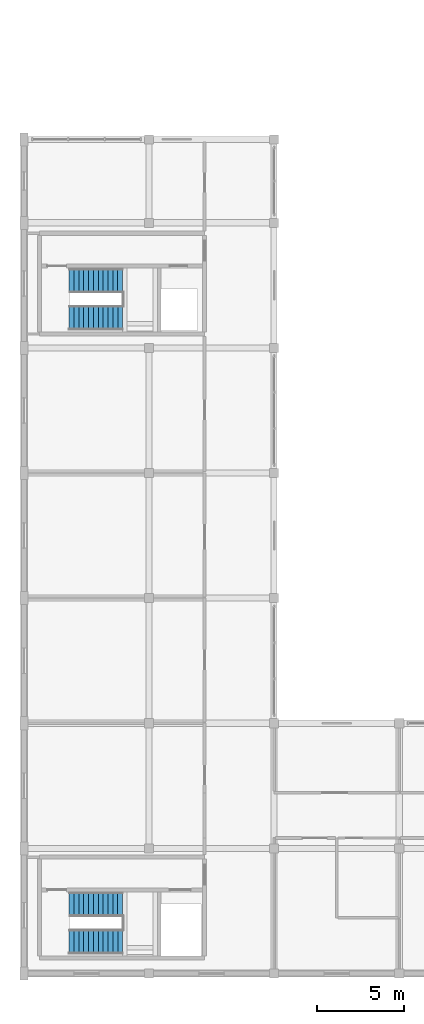
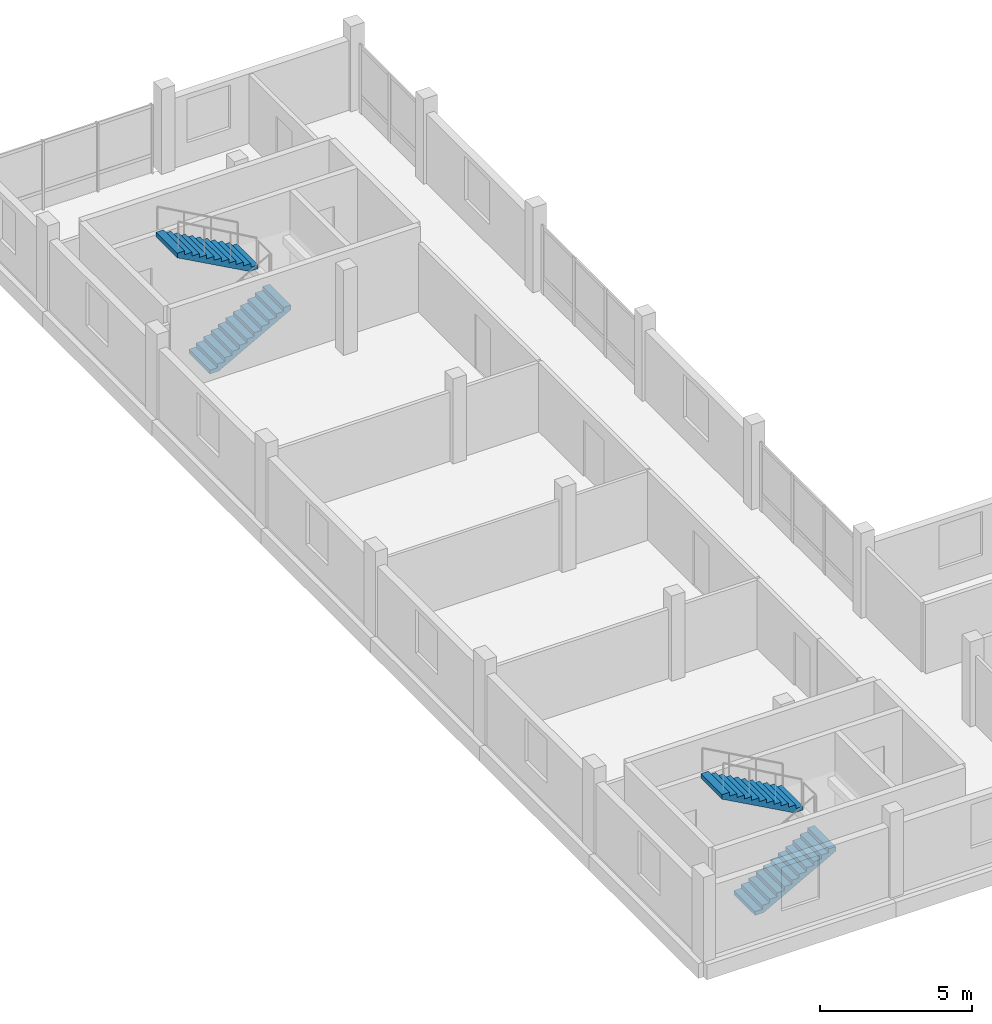
# One storey, part 24 of 26: 4 stair flights, 2 elements without a shape of their own.
"""IFC4 building model written with IfcOpenShell, lengths in metres."""

from ifc_helpers import new_model, si_unit, direction, frame, origin, place, context, subcontext, project, spatial, polyline, outline, extrude, material, type_object, element, aggregate, save


model = new_model("IFC4")

# Units and contexts
model_context = context("Model", 3, precision=1e-05, world=origin(), true_north=direction((0.0, 1.0)))
body_context = subcontext(model_context, "Body", "Model", "MODEL_VIEW")
ifc_project = project(units=[si_unit("LENGTHUNIT", "METRE"), si_unit("AREAUNIT", "SQUARE_METRE"), si_unit("VOLUMEUNIT", "CUBIC_METRE"), si_unit("PLANEANGLEUNIT", "RADIAN"), si_unit("MASSUNIT", "GRAM", prefix="KILO")], contexts=[model_context])

# Site, building, storey
site_placement = place(None, origin())
site = spatial("IfcSite", under=ifc_project, at=site_placement, CompositionType="ELEMENT")
building_placement = place(site_placement, origin())
building = spatial("IfcBuilding", under=site, at=building_placement, Name="Zornivar Specialist Clinic", CompositionType="ELEMENT")
storey_placement = place(building_placement, frame((0.0, 0.0, 19.699951171875)))
storey = spatial("IfcBuildingStorey", under=building, at=storey_placement, Name="L05", CompositionType="ELEMENT", Elevation=19.699951171875)

# Stair, stair flights
ifc_material_1 = material(Name="Concrete C30/37", Category="concrete")
stair_type = type_object("IfcStairType", Name="STR-CORE-UPPER-3700", PredefinedType="HALF_TURN_STAIR", material=ifc_material_1)
stair_1_placement = place(storey_placement, origin())
stair_1 = element("IfcStair", 1, at=stair_1_placement, inside=storey, type_object=stair_type, Name="stair:C1:L05", PredefinedType="HALF_TURN_STAIR")
ifc_material_2 = material(Name="Concrete C30/37", Category="concrete")
stair_flight_type = type_object("IfcStairFlightType", Name="STR-CORE-UPPER-3700-FLT", PredefinedType="STRAIGHT", material=ifc_material_2)
stair_flight_1_placement = place(storey_placement, frame((2.60009765625, 1.820068359375, 0.0), z_axis=(0.0, 0.0, 1.0), x_axis=(1.0, 0.0, 0.0)))
stair_flight_1 = element("IfcStairFlight", 2, at=stair_flight_1_placement, type_object=stair_flight_type, Name="stair:C1:L05:f1", NumberOfRisers=12, NumberOfTreads=11, PredefinedType="STRAIGHT", RiserHeight=0.154167, TreadLength=0.28, context=body_context, shape_type="SweptSolid", body=[
    extrude(outline(polyline([(0.0, 0.0), (0.0, 0.154052734375), (0.280029296875, 0.154052734375), (0.280029296875, 0.308349609375), (0.56005859375, 0.308349609375), (0.56005859375, 0.46240234375), (0.840087890625, 0.46240234375), (0.840087890625, 0.61669921875), (1.1201171875, 0.61669921875), (1.1201171875, 0.770751953125), (1.39990234375, 0.770751953125), (1.39990234375, 0.925048828125), (1.679931640625, 0.925048828125), (1.679931640625, 1.0791015625), (1.9599609375, 1.0791015625), (1.9599609375, 1.2333984375), (2.239990234375, 1.2333984375), (2.239990234375, 1.387451171875), (2.52001953125, 1.387451171875), (2.52001953125, 1.541748046875), (2.800048828125, 1.541748046875), (2.800048828125, 1.69580078125), (3.080078125, 1.69580078125), (3.080078125, 1.85009765625), (3.080078125, 1.51318359375), (0.33154296875, 0.0), (0.0, 0.0)])), frame((0.0, 0.699951171875, 0.0), z_axis=(0.0, -1.0, 0.0), x_axis=(1.0, 0.0, 0.0)), (0.0, 0.0, 1.0), 1.39990234375),
])
stair_flight_2_placement = place(storey_placement, frame((5.679931640625, 3.97998046875, 1.85009765625), z_axis=(0.0, 0.0, 1.0), x_axis=(-1.0, 0.0, 0.0)))
stair_flight_2 = element("IfcStairFlight", 3, at=stair_flight_2_placement, type_object=stair_flight_type, Name="stair:C1:L05:f2", NumberOfRisers=12, NumberOfTreads=11, PredefinedType="STRAIGHT", RiserHeight=0.154167, TreadLength=0.28, context=body_context, shape_type="SweptSolid", body=[
    extrude(outline(polyline([(0.0, 0.0), (0.0, 0.154052734375), (0.280029296875, 0.154052734375), (0.280029296875, 0.308349609375), (0.56005859375, 0.308349609375), (0.56005859375, 0.46240234375), (0.840087890625, 0.46240234375), (0.840087890625, 0.61669921875), (1.1201171875, 0.61669921875), (1.1201171875, 0.770751953125), (1.39990234375, 0.770751953125), (1.39990234375, 0.925048828125), (1.679931640625, 0.925048828125), (1.679931640625, 1.0791015625), (1.9599609375, 1.0791015625), (1.9599609375, 1.2333984375), (2.239990234375, 1.2333984375), (2.239990234375, 1.387451171875), (2.52001953125, 1.387451171875), (2.52001953125, 1.541748046875), (2.800048828125, 1.541748046875), (2.800048828125, 1.69580078125), (3.080078125, 1.69580078125), (3.080078125, 1.85009765625), (3.080078125, 1.51318359375), (0.33154296875, 0.0), (0.0, 0.0)])), frame((0.0, 0.699951171875, 0.0), z_axis=(0.0, -1.0, 0.0), x_axis=(1.0, 0.0, 0.0)), (0.0, 0.0, 1.0), 1.39990234375),
])
aggregate(stair_1, [stair_flight_1, stair_flight_2])

stair_2_placement = place(storey_placement, origin())
stair_2 = element("IfcStair", 4, at=stair_2_placement, inside=storey, type_object=stair_type, Name="stair:C2:L05", PredefinedType="HALF_TURN_STAIR")
stair_flight_3_placement = place(storey_placement, frame((2.60009765625, 37.719970703125, 0.0), z_axis=(0.0, 0.0, 1.0), x_axis=(1.0, 0.0, 0.0)))
stair_flight_3 = element("IfcStairFlight", 5, at=stair_flight_3_placement, type_object=stair_flight_type, Name="stair:C2:L05:f1", NumberOfRisers=12, NumberOfTreads=11, PredefinedType="STRAIGHT", RiserHeight=0.154167, TreadLength=0.28, context=body_context, shape_type="SweptSolid", body=[
    extrude(outline(polyline([(0.0, 0.0), (0.0, 0.154052734375), (0.280029296875, 0.154052734375), (0.280029296875, 0.308349609375), (0.56005859375, 0.308349609375), (0.56005859375, 0.46240234375), (0.840087890625, 0.46240234375), (0.840087890625, 0.61669921875), (1.1201171875, 0.61669921875), (1.1201171875, 0.770751953125), (1.39990234375, 0.770751953125), (1.39990234375, 0.925048828125), (1.679931640625, 0.925048828125), (1.679931640625, 1.0791015625), (1.9599609375, 1.0791015625), (1.9599609375, 1.2333984375), (2.239990234375, 1.2333984375), (2.239990234375, 1.387451171875), (2.52001953125, 1.387451171875), (2.52001953125, 1.541748046875), (2.800048828125, 1.541748046875), (2.800048828125, 1.69580078125), (3.080078125, 1.69580078125), (3.080078125, 1.85009765625), (3.080078125, 1.51318359375), (0.33154296875, 0.0), (0.0, 0.0)])), frame((0.0, 0.699951171875, 0.0), z_axis=(0.0, -1.0, 0.0), x_axis=(1.0, 0.0, 0.0)), (0.0, 0.0, 1.0), 1.39990234375),
])
stair_flight_4_placement = place(storey_placement, frame((5.679931640625, 39.8798828125, 1.85009765625), z_axis=(0.0, 0.0, 1.0), x_axis=(-1.0, 0.0, 0.0)))
stair_flight_4 = element("IfcStairFlight", 6, at=stair_flight_4_placement, type_object=stair_flight_type, Name="stair:C2:L05:f2", NumberOfRisers=12, NumberOfTreads=11, PredefinedType="STRAIGHT", RiserHeight=0.154167, TreadLength=0.28, context=body_context, shape_type="SweptSolid", body=[
    extrude(outline(polyline([(0.0, 0.0), (0.0, 0.154052734375), (0.280029296875, 0.154052734375), (0.280029296875, 0.308349609375), (0.56005859375, 0.308349609375), (0.56005859375, 0.46240234375), (0.840087890625, 0.46240234375), (0.840087890625, 0.61669921875), (1.1201171875, 0.61669921875), (1.1201171875, 0.770751953125), (1.39990234375, 0.770751953125), (1.39990234375, 0.925048828125), (1.679931640625, 0.925048828125), (1.679931640625, 1.0791015625), (1.9599609375, 1.0791015625), (1.9599609375, 1.2333984375), (2.239990234375, 1.2333984375), (2.239990234375, 1.387451171875), (2.52001953125, 1.387451171875), (2.52001953125, 1.541748046875), (2.800048828125, 1.541748046875), (2.800048828125, 1.69580078125), (3.080078125, 1.69580078125), (3.080078125, 1.85009765625), (3.080078125, 1.51318359375), (0.33154296875, 0.0), (0.0, 0.0)])), frame((0.0, 0.699951171875, 0.0), z_axis=(0.0, -1.0, 0.0), x_axis=(1.0, 0.0, 0.0)), (0.0, 0.0, 1.0), 1.39990234375),
])
aggregate(stair_2, [stair_flight_3, stair_flight_4])

save(model, "model.ifc")
